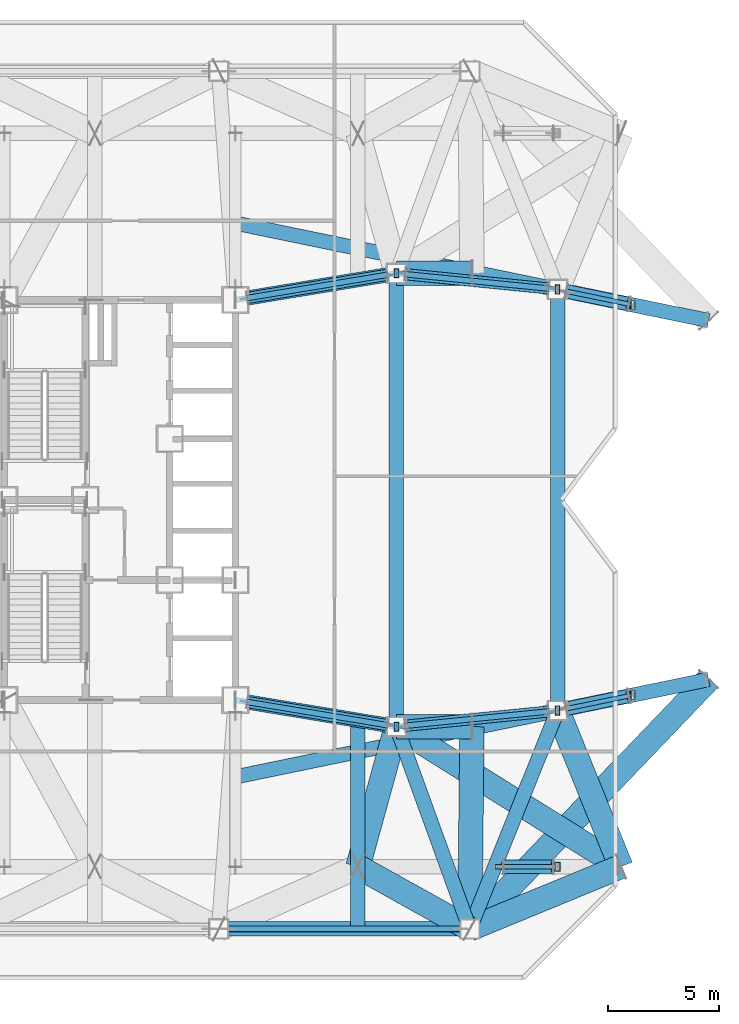
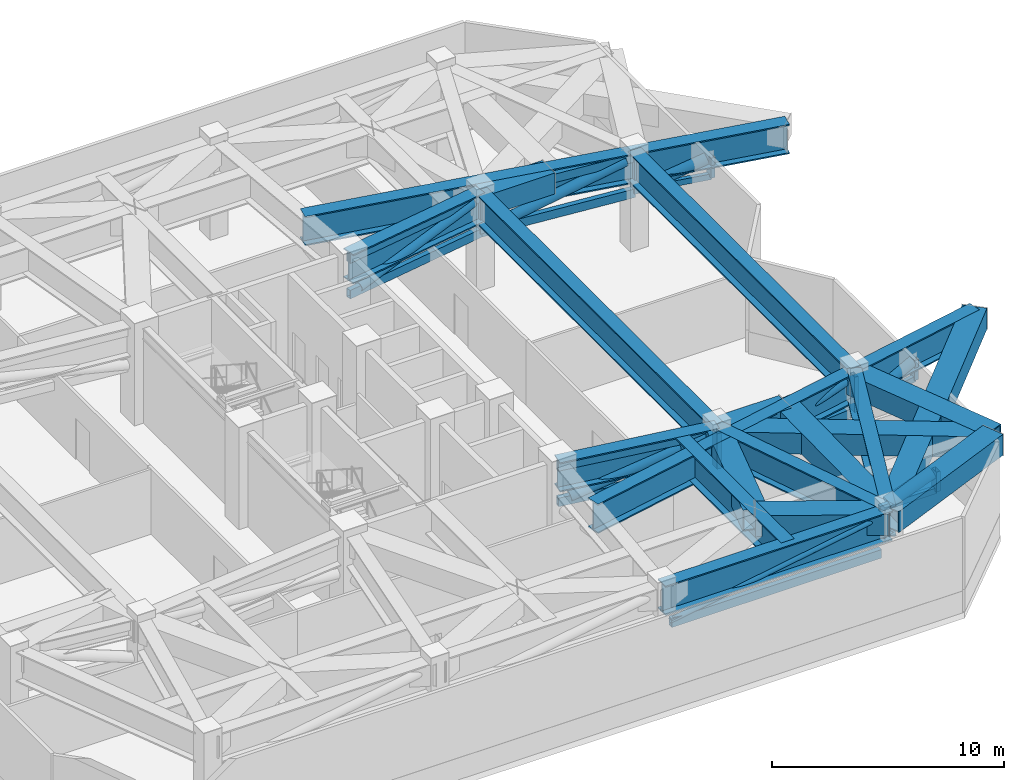
# One storey, part 4 of 19: 27 members, 19 beams.
"""IFC4 building model written with IfcOpenShell, lengths in metres."""

from ifc_helpers import new_model, si_unit, direction, frame, origin, origin_2d, place, context, subcontext, project, spatial, hollow_rectangle, hollow_circle, i_section, extrude, material, material_profile, profile_set, type_object, element, save


model = new_model("IFC4")

# Units and contexts
model_context = context("Model", 3, precision=1e-05, world=origin(), true_north=direction((0.0, 1.0)))
body_context = subcontext(model_context, "Body", "Model", "MODEL_VIEW")
ifc_project = project(units=[si_unit("LENGTHUNIT", "METRE"), si_unit("AREAUNIT", "SQUARE_METRE"), si_unit("VOLUMEUNIT", "CUBIC_METRE"), si_unit("PLANEANGLEUNIT", "RADIAN"), si_unit("MASSUNIT", "GRAM", prefix="KILO")], contexts=[model_context])

# Site, building, storey
site_placement = place(None, origin())
site = spatial("IfcSite", under=ifc_project, at=site_placement, CompositionType="ELEMENT")
building_placement = place(site_placement, origin())
building = spatial("IfcBuilding", under=site, at=building_placement, Name="Khamvora Tower", CompositionType="ELEMENT")
storey_placement = place(building_placement, frame((0.0, 0.0, 150.5)))
storey = spatial("IfcBuildingStorey", under=building, at=storey_placement, Name="L38", CompositionType="ELEMENT", Elevation=150.5)

# Beams
ifc_material_1 = material(Name="Steel S460", Category="steel")
ifc_material_profile_1 = material_profile(ifc_material_1, hollow_rectangle(XDim=1.10009765625, YDim=1.10009765625, WallThickness=0.054931640625, at=origin_2d()), Name="BOX1100x1100x55")
ifc_profile_set_1 = profile_set([ifc_material_profile_1], Name="Steel S460")
beam_type_1 = type_object("IfcBeamType", Name="BM-TG-BOX1100", PredefinedType="BEAM", material=ifc_profile_set_1)
beam_1_placement = place(storey_placement, frame((49.949951171875, 8.699951171875, 4.429931640625), z_axis=(-0.87386518861, 0.486168316671, 0.0), x_axis=(-0.486168316671, -0.87386518861, 0.0)))
element("IfcBeam", 1, at=beam_1_placement, inside=storey, type_object=beam_type_1, Name="L38 Zone Transfer Truss frame transfer link S3.1", PredefinedType="BEAM", context=body_context, shape_type="SweptSolid", body=[
    extrude(hollow_rectangle(XDim=1.10009765625, YDim=1.10009765625, WallThickness=0.054931640625, at=origin_2d()), origin(), (0.0, 0.0, 1.0), 5.759521484375),
])
beam_2_placement = place(storey_placement, frame((46.64990234375, 17.800048828125, 4.429931640625), z_axis=(-0.265212930907, -0.964189867858, 0.0), x_axis=(0.964189867858, -0.265212930907, 0.0)))
element("IfcBeam", 2, at=beam_2_placement, inside=storey, type_object=beam_type_1, Name="L38 Zone Transfer Truss frame transfer link S3.2", PredefinedType="BEAM", context=body_context, shape_type="SweptSolid", body=[
    extrude(hollow_rectangle(XDim=1.10009765625, YDim=1.10009765625, WallThickness=0.054931640625, at=origin_2d()), origin(), (0.0, 0.0, 1.0), 6.533935546875),
])
beam_3_placement = place(storey_placement, frame((49.949951171875, 8.699951171875, 4.429931640625), z_axis=(0.924676723385, 0.380753144742, 0.0), x_axis=(-0.380753144742, 0.924676723385, 0.0)))
element("IfcBeam", 3, at=beam_3_placement, inside=storey, type_object=beam_type_1, Name="L38 Zone Transfer Truss frame transfer link S4.1", PredefinedType="BEAM", context=body_context, shape_type="SweptSolid", body=[
    extrude(hollow_rectangle(XDim=1.10009765625, YDim=1.10009765625, WallThickness=0.054931640625, at=origin_2d()), origin(), (0.0, 0.0, 1.0), 7.35400390625),
])
beam_4_placement = place(storey_placement, frame((53.89990234375, 18.52490234375, 4.429931640625), z_axis=(0.375950282894, -0.926639835531, 0.0), x_axis=(0.926639835531, 0.375950282894, 0.0)))
element("IfcBeam", 4, at=beam_4_placement, inside=storey, type_object=beam_type_1, Name="L38 Zone Transfer Truss frame transfer link S4.2", PredefinedType="BEAM", context=body_context, shape_type="SweptSolid", body=[
    extrude(hollow_rectangle(XDim=1.10009765625, YDim=1.10009765625, WallThickness=0.054931640625, at=origin_2d()), origin(), (0.0, 0.0, 1.0), 7.5810546875),
])
beam_5_placement = place(storey_placement, frame((46.64990234375, 17.800048828125, 4.429931640625), z_axis=(0.848470372725, -0.529242880545, 0.0), x_axis=(0.529242880545, 0.848470372725, 0.0)))
element("IfcBeam", 5, at=beam_5_placement, inside=storey, type_object=beam_type_1, Name="L38 Zone Transfer Truss frame transfer link S4.3", PredefinedType="BEAM", context=body_context, shape_type="SweptSolid", body=[
    extrude(hollow_rectangle(XDim=1.10009765625, YDim=1.10009765625, WallThickness=0.054931640625, at=origin_2d()), origin(), (0.0, 0.0, 1.0), 11.90380859375),
])
beam_6_placement = place(storey_placement, frame((49.949951171875, 8.699951171875, 4.429931640625), z_axis=(0.691657632591, 0.722225532142, 0.0), x_axis=(-0.722225532142, 0.691657632591, 0.0)))
element("IfcBeam", 6, at=beam_6_placement, inside=storey, type_object=beam_type_1, Name="L38 Zone Transfer Truss frame transfer link E1.3", PredefinedType="BEAM", context=body_context, shape_type="SweptSolid", body=[
    extrude(hollow_rectangle(XDim=1.10009765625, YDim=1.10009765625, WallThickness=0.054931640625, at=origin_2d()), origin(), (0.0, 0.0, 1.0), 15.54248046875),
])
beam_7_placement = place(storey_placement, frame((46.64990234375, 17.800048828125, 4.429931640625), z_axis=(1.0, 0.0, 0.0), x_axis=(0.0, 1.0, 0.0)))
element("IfcBeam", 7, at=beam_7_placement, inside=storey, type_object=beam_type_1, Name="L38 Zone Transfer Truss frame transfer link M1.1", PredefinedType="BEAM", context=body_context, shape_type="SweptSolid", body=[
    extrude(hollow_rectangle(XDim=1.10009765625, YDim=1.10009765625, WallThickness=0.054931640625, at=origin_2d()), origin(), (0.0, 0.0, 1.0), 3.400146484375),
])
beam_8_placement = place(storey_placement, frame((49.949951171875, 8.699951171875, 4.429931640625), z_axis=(0.010998959032, 0.999939509621, 0.0), x_axis=(-0.999939509621, 0.010998959032, 0.0)))
element("IfcBeam", 8, at=beam_8_placement, inside=storey, type_object=beam_type_1, Name="L38 Zone Transfer Truss frame transfer link M1.3", PredefinedType="BEAM", context=body_context, shape_type="SweptSolid", body=[
    extrude(hollow_rectangle(XDim=1.10009765625, YDim=1.10009765625, WallThickness=0.054931640625, at=origin_2d()), origin(), (0.0, 0.0, 1.0), 9.1005859375),
])
beam_9_placement = place(storey_placement, frame((46.64990234375, 38.199951171875, 4.429931640625), z_axis=(1.0, 0.0, 0.0), x_axis=(0.0, 1.0, 0.0)))
element("IfcBeam", 9, at=beam_9_placement, inside=storey, type_object=beam_type_1, Name="L38 Zone Transfer Truss frame transfer link M2.1", PredefinedType="BEAM", context=body_context, shape_type="SweptSolid", body=[
    extrude(hollow_rectangle(XDim=1.10009765625, YDim=1.10009765625, WallThickness=0.054931640625, at=origin_2d()), origin(), (0.0, 0.0, 1.0), 3.400146484375),
])
ifc_material_profile_2 = material_profile(ifc_material_1, i_section(OverallWidth=0.64990234375, OverallDepth=1.550048828125, WebThickness=0.0400390625, FlangeThickness=0.06494140625, at=origin_2d()), Name="PG1550x650x40x65")
ifc_profile_set_2 = profile_set([ifc_material_profile_2], Name="Steel S460")
beam_type_2 = type_object("IfcBeamType", Name="BM-TG-PG1800", PredefinedType="BEAM", material=ifc_profile_set_2)
beam_10_placement = place(storey_placement, frame((38.64990234375, 8.699951171875, 4.205078125), z_axis=(1.0, 0.0, 0.0), x_axis=(0.0, 1.0, 0.0)))
element("IfcBeam", 10, at=beam_10_placement, inside=storey, type_object=beam_type_2, Name="L38 perimeter spandrel beam S3-S4", PredefinedType="BEAM", context=body_context, shape_type="SweptSolid", body=[
    extrude(i_section(OverallWidth=0.64990234375, OverallDepth=1.550048828125, WebThickness=0.0400390625, FlangeThickness=0.06494140625, at=origin_2d()), origin(), (0.0, 0.0, 1.0), 11.300048828125),
])
beam_11_placement = place(storey_placement, frame((49.949951171875, 8.699951171875, 4.205078125), z_axis=(0.373015921536, 0.927824941614, 0.0), x_axis=(-0.927824941614, 0.373015921536, 0.0)))
element("IfcBeam", 11, at=beam_11_placement, inside=storey, type_object=beam_type_2, Name="L38 perimeter spandrel beam S4-E1", PredefinedType="BEAM", context=body_context, shape_type="SweptSolid", body=[
    extrude(i_section(OverallWidth=0.64990234375, OverallDepth=1.550048828125, WebThickness=0.0400390625, FlangeThickness=0.06494140625, at=origin_2d()), origin(), (0.0, 0.0, 1.0), 10.589111328125),
])
beam_12_placement = place(storey_placement, frame((53.89990234375, 18.52490234375, 4.205078125), z_axis=(0.0, 1.0, 0.0), x_axis=(-1.0, 0.0, 0.0)))
element("IfcBeam", 12, at=beam_12_placement, inside=storey, type_object=beam_type_2, Name="L38 perimeter spandrel beam E1-E2", PredefinedType="BEAM", context=body_context, shape_type="SweptSolid", body=[
    extrude(i_section(OverallWidth=0.64990234375, OverallDepth=1.550048828125, WebThickness=0.0400390625, FlangeThickness=0.06494140625, at=origin_2d()), origin(), (0.0, 0.0, 1.0), 18.9501953125),
])
beam_13_placement = place(storey_placement, frame((46.64990234375, 17.800048828125, 4.205078125), z_axis=(0.0, 1.0, 0.0), x_axis=(-1.0, 0.0, 0.0)))
element("IfcBeam", 13, at=beam_13_placement, inside=storey, type_object=beam_type_2, Name="L38 longitudinal frame girder M1-M2", PredefinedType="BEAM", context=body_context, shape_type="SweptSolid", body=[
    extrude(i_section(OverallWidth=0.64990234375, OverallDepth=1.550048828125, WebThickness=0.0400390625, FlangeThickness=0.06494140625, at=origin_2d()), origin(), (0.0, 0.0, 1.0), 20.39990234375),
])
beam_14_placement = place(storey_placement, frame((46.64990234375, 17.800048828125, 4.205078125), z_axis=(0.340914681567, -0.940094239899, 0.0), x_axis=(0.940094239899, 0.340914681567, 0.0)))
element("IfcBeam", 14, at=beam_14_placement, inside=storey, type_object=beam_type_2, Name="L38 primary floor girder S4", PredefinedType="BEAM", context=body_context, shape_type="SweptSolid", body=[
    extrude(i_section(OverallWidth=0.64990234375, OverallDepth=1.550048828125, WebThickness=0.0400390625, FlangeThickness=0.06494140625, at=origin_2d()), origin(), (0.0, 0.0, 1.0), 9.679931640625),
])
for number, where, z_axis, x_axis, name in (
    (15, (39.39990234375, 19.0, 4.205078125), (0.986578268552, -0.163289068896, 0.0), (0.163289068896, 0.986578268552, 0.0), "L38 primary floor girder M1"),
    (16, (39.39990234375, 37.0, 4.205078125), (0.986578268552, 0.163289068896, 0.0), (-0.163289068896, 0.986578268552, 0.0), "L38 primary floor girder M2"),
):
    element("IfcBeam", number, at=place(storey_placement, frame(where, z_axis=z_axis, x_axis=x_axis)), inside=storey, type_object=beam_type_2, Name=name, PredefinedType="BEAM", context=body_context, shape_type="SweptSolid", body=[
        extrude(i_section(OverallWidth=0.64990234375, OverallDepth=1.550048828125, WebThickness=0.0400390625, FlangeThickness=0.06494140625, at=origin_2d()), origin(), (0.0, 0.0, 1.0), 7.3486328125),
    ])
beam_15_placement = place(storey_placement, frame((44.9169921875, 8.699951171875, 4.205078125), z_axis=(0.0, 1.0, 0.0), x_axis=(-1.0, 0.0, 0.0)))
element("IfcBeam", 17, at=beam_15_placement, inside=storey, type_object=beam_type_2, Name="L38 Zone Transfer Truss Box Girder S3", PredefinedType="BEAM", context=body_context, shape_type="SweptSolid", body=[
    extrude(i_section(OverallWidth=0.64990234375, OverallDepth=1.550048828125, WebThickness=0.0400390625, FlangeThickness=0.06494140625, at=origin_2d()), origin(), (0.0, 0.0, 1.0), 9.386962890625),
])
for number, where, z_axis, x_axis, name in (
    (18, (39.14404296875, 15.487060546875, 4.205078125), (0.979456978814, 0.201653233675, 0.0), (-0.201653233675, 0.979456978814, 0.0), "L38 Zone Transfer Truss Upper Box Girder E1"),
    (19, (39.14404296875, 40.512939453125, 4.205078125), (0.979456978814, -0.201653233675, 0.0), (0.201653233675, 0.979456978814, 0.0), "L38 Zone Transfer Truss Upper Box Girder E2"),
):
    element("IfcBeam", number, at=place(storey_placement, frame(where, z_axis=z_axis, x_axis=x_axis)), inside=storey, type_object=beam_type_2, Name=name, PredefinedType="BEAM", context=body_context, shape_type="SweptSolid", body=[
        extrude(i_section(OverallWidth=0.64990234375, OverallDepth=1.550048828125, WebThickness=0.0400390625, FlangeThickness=0.06494140625, at=origin_2d()), origin(), (0.0, 0.0, 1.0), 22.008056640625),
    ])

# Members
ifc_material_profile_3 = material_profile(ifc_material_1, hollow_circle(Radius=0.25390625, WallThickness=0.02490234375, at=origin_2d()), Name="CHS508x25")
ifc_profile_set_3 = profile_set([ifc_material_profile_3], Name="Steel S460")
member_type_1 = type_object("IfcMemberType", Name="MEM-BR-CHS508I", PredefinedType="BRACE", material=ifc_profile_set_3)
member_1_placement = place(storey_placement, frame((39.955078125, 18.907958984375, 2.903076171875), z_axis=(0.956107079572, -0.158242983759, 0.246613889478), x_axis=(0.163286273551, 0.986578731207, 0.0)))
element("IfcMember", 20, at=member_1_placement, inside=storey, type_object=member_type_1, Name="L38 Outrigger Truss Web Diagonal 5", PredefinedType="BRACE", context=body_context, shape_type="SweptSolid", body=[
    extrude(hollow_circle(Radius=0.25390625, WallThickness=0.02490234375, at=origin_2d()), origin(), (0.0, 0.0, 1.0), 6.572509765625),
])
member_2_placement = place(storey_placement, frame((47.06396484375, 17.841064453125, 2.866943359375), z_axis=(0.963808681725, 0.096472467553, 0.2485274392), x_axis=(-0.099597348695, 0.995027822793, 0.0)))
element("IfcMember", 21, at=member_2_placement, inside=storey, type_object=member_type_1, Name="L38 Outrigger Truss Web Diagonal 6", PredefinedType="BRACE", context=body_context, shape_type="SweptSolid", body=[
    extrude(hollow_circle(Radius=0.25390625, WallThickness=0.02490234375, at=origin_2d()), origin(), (0.0, 0.0, 1.0), 6.663330078125),
])
member_3_placement = place(storey_placement, frame((39.955078125, 37.092041015625, 2.903076171875), z_axis=(0.956107079572, 0.158242983759, 0.246613889478), x_axis=(-0.163286273551, 0.986578731207, 0.0)))
element("IfcMember", 22, at=member_3_placement, inside=storey, type_object=member_type_1, Name="L38 Outrigger Truss Web Diagonal 7", PredefinedType="BRACE", context=body_context, shape_type="SweptSolid", body=[
    extrude(hollow_circle(Radius=0.25390625, WallThickness=0.02490234375, at=origin_2d()), origin(), (0.0, 0.0, 1.0), 6.572509765625),
])
member_4_placement = place(storey_placement, frame((47.06396484375, 38.158935546875, 2.866943359375), z_axis=(0.963808681725, -0.096472467553, 0.2485274392), x_axis=(0.099597348695, 0.995027822793, 0.0)))
element("IfcMember", 23, at=member_4_placement, inside=storey, type_object=member_type_1, Name="L38 Outrigger Truss Web Diagonal 8", PredefinedType="BRACE", context=body_context, shape_type="SweptSolid", body=[
    extrude(hollow_circle(Radius=0.25390625, WallThickness=0.02490234375, at=origin_2d()), origin(), (0.0, 0.0, 1.0), 6.663330078125),
])
ifc_material_profile_4 = material_profile(ifc_material_1, hollow_circle(Radius=0.304931640625, WallThickness=0.028076171875, at=origin_2d()), Name="CHS610x28")
ifc_profile_set_4 = profile_set([ifc_material_profile_4], Name="Steel S460")
member_type_2 = type_object("IfcMemberType", Name="MEM-BR-CHS610", PredefinedType="BRACE", material=ifc_profile_set_4)
member_5_placement = place(storey_placement, frame((51.47900390625, 11.5, 2.989013671875), z_axis=(0.937782224447, 0.0, 0.347223990402), x_axis=(0.0, 1.0, 0.0)))
element("IfcMember", 24, at=member_5_placement, inside=storey, type_object=member_type_2, Name="L38 Zone Transfer Truss Web Brace S4", PredefinedType="BRACE", context=body_context, shape_type="SweptSolid", body=[
    extrude(hollow_circle(Radius=0.304931640625, WallThickness=0.028076171875, at=origin_2d()), origin(), (0.0, 0.0, 1.0), 2.375732421875),
])
for number, where, z_axis, x_axis, name in (
    (25, (54.302978515625, 18.60791015625, 2.964111328125), (0.937483065056, 0.19320417261, 0.289478238248), (-0.201846303783, 0.979417209186, 0.0), "L38 Zone Transfer Truss Web Brace E1"),
    (26, (54.302978515625, 37.39208984375, 2.964111328125), (0.937483065056, -0.19320417261, 0.289478238248), (0.201846303783, 0.979417209186, 0.0), "L38 Zone Transfer Truss Web Brace E2"),
):
    element("IfcMember", number, at=place(storey_placement, frame(where, z_axis=z_axis, x_axis=x_axis)), inside=storey, type_object=member_type_2, Name=name, PredefinedType="BRACE", context=body_context, shape_type="SweptSolid", body=[
        extrude(hollow_circle(Radius=0.304931640625, WallThickness=0.028076171875, at=origin_2d()), origin(), (0.0, 0.0, 1.0), 2.97705078125),
    ])
ifc_material_profile_5 = material_profile(ifc_material_1, hollow_rectangle(XDim=0.25, YDim=0.449951171875, WallThickness=0.01611328125, at=origin_2d()), Name="RHS450x250x16")
ifc_profile_set_5 = profile_set([ifc_material_profile_5], Name="Steel S460")
member_type_3 = type_object("IfcMemberType", Name="MEM-CH-RHS450", PredefinedType="CHORD", material=ifc_profile_set_5)
for number, where, z_axis, x_axis, name in (
    (27, (39.39990234375, 19.0, 4.6298828125), (0.986578268552, -0.163289068896, 0.0), (0.163289068896, 0.986578268552, 0.0), "L38 Outrigger Truss Top Chord 5"),
    (28, (39.39990234375, 19.0, 2.760009765625), (0.986578268552, -0.163289068896, 0.0), (0.163289068896, 0.986578268552, 0.0), "L38 Outrigger Truss Bottom Chord 5"),
):
    element("IfcMember", number, at=place(storey_placement, frame(where, z_axis=z_axis, x_axis=x_axis)), inside=storey, type_object=member_type_3, Name=name, PredefinedType="CHORD", context=body_context, shape_type="SweptSolid", body=[
        extrude(hollow_rectangle(XDim=0.25, YDim=0.449951171875, WallThickness=0.01611328125, at=origin_2d()), origin(), (0.0, 0.0, 1.0), 7.3486328125),
    ])
for number, where, z_axis, x_axis, name in (
    (29, (46.64990234375, 17.800048828125, 4.6298828125), (0.995039180556, 0.099483813546, 0.0), (-0.099483813546, 0.995039180556, 0.0), "L38 Outrigger Truss Top Chord 6"),
    (30, (46.64990234375, 17.800048828125, 2.760009765625), (0.995039180556, 0.099483813546, 0.0), (-0.099483813546, 0.995039180556, 0.0), "L38 Outrigger Truss Bottom Chord 6"),
):
    element("IfcMember", number, at=place(storey_placement, frame(where, z_axis=z_axis, x_axis=x_axis)), inside=storey, type_object=member_type_3, Name=name, PredefinedType="CHORD", context=body_context, shape_type="SweptSolid", body=[
        extrude(hollow_rectangle(XDim=0.25, YDim=0.449951171875, WallThickness=0.01611328125, at=origin_2d()), origin(), (0.0, 0.0, 1.0), 7.2861328125),
    ])
for number, where, z_axis, x_axis, name in (
    (31, (39.39990234375, 37.0, 4.6298828125), (0.986578268552, 0.163289068896, 0.0), (-0.163289068896, 0.986578268552, 0.0), "L38 Outrigger Truss Top Chord 7"),
    (32, (39.39990234375, 37.0, 2.760009765625), (0.986578268552, 0.163289068896, 0.0), (-0.163289068896, 0.986578268552, 0.0), "L38 Outrigger Truss Bottom Chord 7"),
):
    element("IfcMember", number, at=place(storey_placement, frame(where, z_axis=z_axis, x_axis=x_axis)), inside=storey, type_object=member_type_3, Name=name, PredefinedType="CHORD", context=body_context, shape_type="SweptSolid", body=[
        extrude(hollow_rectangle(XDim=0.25, YDim=0.449951171875, WallThickness=0.01611328125, at=origin_2d()), origin(), (0.0, 0.0, 1.0), 7.3486328125),
    ])
for number, where, z_axis, x_axis, name in (
    (33, (46.64990234375, 38.199951171875, 4.6298828125), (0.995039180556, -0.099483813546, 0.0), (0.099483813546, 0.995039180556, 0.0), "L38 Outrigger Truss Top Chord 8"),
    (34, (46.64990234375, 38.199951171875, 2.760009765625), (0.995039180556, -0.099483813546, 0.0), (0.099483813546, 0.995039180556, 0.0), "L38 Outrigger Truss Bottom Chord 8"),
):
    element("IfcMember", number, at=place(storey_placement, frame(where, z_axis=z_axis, x_axis=x_axis)), inside=storey, type_object=member_type_3, Name=name, PredefinedType="CHORD", context=body_context, shape_type="SweptSolid", body=[
        extrude(hollow_rectangle(XDim=0.25, YDim=0.449951171875, WallThickness=0.01611328125, at=origin_2d()), origin(), (0.0, 0.0, 1.0), 7.2861328125),
    ])
member_6_placement = place(storey_placement, frame((39.080078125, 8.699951171875, 2.760009765625), z_axis=(1.0, 0.0, 0.0), x_axis=(0.0, 1.0, 0.0)))
element("IfcMember", 35, at=member_6_placement, inside=storey, type_object=member_type_3, Name="L38 Perimeter Belt Truss Bottom Chord 1.3", PredefinedType="CHORD", context=body_context, shape_type="SweptSolid", body=[
    extrude(hollow_rectangle(XDim=0.25, YDim=0.449951171875, WallThickness=0.01611328125, at=origin_2d()), origin(), (0.0, 0.0, 1.0), 10.43994140625),
])
ifc_material_2 = material(Name="Steel S355", Category="steel")
ifc_material_profile_6 = material_profile(ifc_material_2, hollow_rectangle(XDim=0.199951171875, YDim=0.300048828125, WallThickness=0.011962890625, at=origin_2d()), Name="RHS300x200x12")
ifc_profile_set_6 = profile_set([ifc_material_profile_6], Name="Steel S355")
member_type_4 = type_object("IfcMemberType", Name="MEM-PR-RHS300", PredefinedType="PURLIN", material=ifc_profile_set_6)
member_7_placement = place(storey_placement, frame((51.075927734375, 11.5, 2.840087890625), z_axis=(1.0, 0.0, 0.0), x_axis=(0.0, 1.0, 0.0)))
element("IfcMember", 36, at=member_7_placement, inside=storey, type_object=member_type_4, Name="L38 Zone Transfer Truss Lower Chord S4", PredefinedType="PURLIN", context=body_context, shape_type="SweptSolid", body=[
    extrude(hollow_rectangle(XDim=0.199951171875, YDim=0.300048828125, WallThickness=0.011962890625, at=origin_2d()), origin(), (0.0, 0.0, 1.0), 2.837158203125),
])
for number, where, z_axis, x_axis, name in (
    (37, (53.89990234375, 18.52490234375, 2.840087890625), (0.979447645772, 0.201698560212, 0.0), (-0.201698560212, 0.979447645772, 0.0), "L38 Zone Transfer Truss Lower Chord E1"),
    (38, (53.89990234375, 37.47509765625, 2.840087890625), (0.979447645772, -0.201698560212, 0.0), (0.201698560212, 0.979447645772, 0.0), "L38 Zone Transfer Truss Lower Chord E2"),
):
    element("IfcMember", number, at=place(storey_placement, frame(where, z_axis=z_axis, x_axis=x_axis)), inside=storey, type_object=member_type_4, Name=name, PredefinedType="PURLIN", context=body_context, shape_type="SweptSolid", body=[
        extrude(hollow_rectangle(XDim=0.199951171875, YDim=0.300048828125, WallThickness=0.011962890625, at=origin_2d()), origin(), (0.0, 0.0, 1.0), 3.471435546875),
    ])
ifc_material_profile_7 = material_profile(ifc_material_2, hollow_rectangle(XDim=0.199951171875, YDim=0.39990234375, WallThickness=0.01611328125, at=origin_2d()), Name="RHS400x200x16")
ifc_profile_set_7 = profile_set([ifc_material_profile_7], Name="Steel S355")
member_type_5 = type_object("IfcMemberType", Name="MEM-PS-RHS400", PredefinedType="POST", material=ifc_profile_set_7)
for number, where, z_axis, x_axis, name in (
    (39, (46.64990234375, 17.800048828125, 2.760009765625), (0.0, 0.0, 1.0), (1.0, 0.0, 0.0), "L38 Outrigger Truss Post 5"),
    (40, (53.89990234375, 18.52490234375, 2.760009765625), (0.0, 0.0, 1.0), (1.0, 0.0, 0.0), "L38 Outrigger Truss Post 6"),
    (41, (46.64990234375, 38.199951171875, 2.760009765625), (0.0, 0.0, 1.0), (1.0, 0.0, 0.0), "L38 Outrigger Truss Post 7"),
    (42, (53.89990234375, 37.47509765625, 2.760009765625), (0.0, 0.0, 1.0), (1.0, 0.0, 0.0), "L38 Outrigger Truss Post 8"),
):
    element("IfcMember", number, at=place(storey_placement, frame(where, z_axis=z_axis, x_axis=x_axis)), inside=storey, type_object=member_type_5, Name=name, PredefinedType="POST", context=body_context, shape_type="SweptSolid", body=[
        extrude(hollow_rectangle(XDim=0.199951171875, YDim=0.39990234375, WallThickness=0.01611328125, at=origin_2d()), origin(), (0.0, 0.0, 1.0), 1.869873046875),
    ])
for number, where, z_axis, x_axis, name in (
    (43, (53.9130859375, 11.5, 2.840087890625), (0.0, 0.0, 1.0), (1.0, 0.0, 0.0), "L38 Zone Transfer Truss Vertical Web Post S4"),
    (44, (57.300048828125, 19.22509765625, 2.840087890625), (0.0, 0.0, 1.0), (1.0, 0.0, 0.0), "L38 Zone Transfer Truss Vertical Web Post E1"),
    (45, (57.300048828125, 36.77490234375, 2.840087890625), (0.0, 0.0, 1.0), (1.0, 0.0, 0.0), "L38 Zone Transfer Truss Vertical Web Post E2"),
):
    element("IfcMember", number, at=place(storey_placement, frame(where, z_axis=z_axis, x_axis=x_axis)), inside=storey, type_object=member_type_5, Name=name, PredefinedType="POST", context=body_context, shape_type="SweptSolid", body=[
        extrude(hollow_rectangle(XDim=0.199951171875, YDim=0.39990234375, WallThickness=0.01611328125, at=origin_2d()), origin(), (0.0, 0.0, 1.0), 1.0498046875),
    ])
ifc_material_profile_8 = material_profile(ifc_material_2, hollow_circle(Radius=0.136474609375, WallThickness=0.011962890625, at=origin_2d()), Name="CHS273x12")
ifc_profile_set_8 = profile_set([ifc_material_profile_8], Name="Steel S355")
member_type_6 = type_object("IfcMemberType", Name="MEM-ST-CHS273", PredefinedType="STRUT", material=ifc_profile_set_8)
member_8_placement = place(storey_placement, frame((39.073974609375, 8.699951171875, 2.8330078125), z_axis=(0.985430065115, 0.0, 0.170081118197), x_axis=(0.0, 1.0, 0.0)))
element("IfcMember", 46, at=member_8_placement, inside=storey, type_object=member_type_6, Name="L38 plant perimeter tie strut 1", PredefinedType="STRUT", context=body_context, shape_type="SweptSolid", body=[
    extrude(hollow_circle(Radius=0.136474609375, WallThickness=0.011962890625, at=origin_2d()), origin(), (0.0, 0.0, 1.0), 10.6064453125),
])

save(model, "model.ifc")
